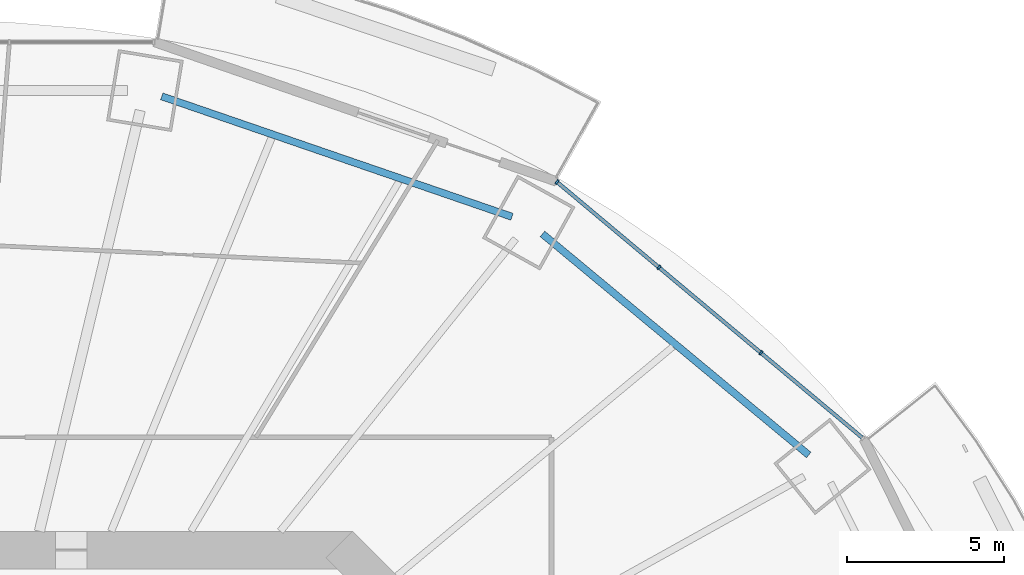
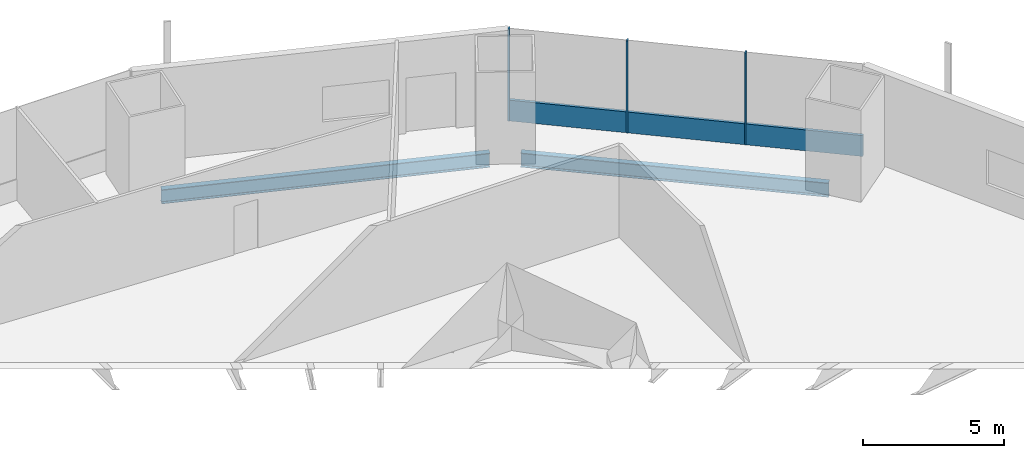
# One storey, part 10 of 22: 4 members, 2 beams, 1 element without a shape of its own.
"""IFC4 building model written with IfcOpenShell, lengths in metres."""

from ifc_helpers import new_model, si_unit, direction, frame, origin, origin_2d, place, context, subcontext, project, spatial, rectangle, i_section, extrude, material, material_profile, profile_set, type_object, element, aggregate, save


model = new_model("IFC4")

# Units and contexts
model_context = context("Model", 3, precision=1e-05, world=origin(), true_north=direction((0.0, 1.0)))
body_context = subcontext(model_context, "Body", "Model", "MODEL_VIEW")
ifc_project = project(units=[si_unit("LENGTHUNIT", "METRE"), si_unit("AREAUNIT", "SQUARE_METRE"), si_unit("VOLUMEUNIT", "CUBIC_METRE"), si_unit("PLANEANGLEUNIT", "RADIAN"), si_unit("MASSUNIT", "GRAM", prefix="KILO")], contexts=[model_context])

# Site, building, storey
site_placement = place(None, origin())
site = spatial("IfcSite", under=ifc_project, at=site_placement, CompositionType="ELEMENT")
building_placement = place(site_placement, origin())
building = spatial("IfcBuilding", under=site, at=building_placement, Name="Marenthal Gate Tower", CompositionType="ELEMENT")
storey_placement = place(building_placement, frame((0.0, 0.0, 78.64990234375)))
storey = spatial("IfcBuildingStorey", under=building, at=storey_placement, Name="L15", CompositionType="ELEMENT", Elevation=78.64990234375)

# Curtain wall, members
ifc_material_1 = material(Name="Aluminium and glass", Category="aluminium")
curtain_wall_type = type_object("IfcCurtainWallType", Name="Curtain wall typical low", PredefinedType="NOTDEFINED", material=ifc_material_1)
curtain_wall_placement = place(storey_placement, origin())
curtain_wall = element("IfcCurtainWall", 1, at=curtain_wall_placement, inside=storey, type_object=curtain_wall_type, Name="Curtain wall L15 bay 2", PredefinedType="NOTDEFINED")
ifc_material_2 = material(Name="Aluminium", Category="aluminium")
ifc_material_profile_1 = material_profile(ifc_material_2, rectangle(XDim=0.159912109375, YDim=0.06005859375, at=origin_2d()), Name="60x160 aluminium mullion")
ifc_profile_set_1 = profile_set([ifc_material_profile_1], Name="Aluminium")
member_type_1 = type_object("IfcMemberType", Name="Mullion 60x160 typical low", PredefinedType="MULLION", material=ifc_profile_set_1)
member_1_placement = place(storey_placement, frame((26.283935546875, 19.292724609375, 0.0), z_axis=(0.0, 0.0, 1.0), x_axis=(-0.642176178992, -0.76655707885, 0.0)))
member_1 = element("IfcMember", 2, at=member_1_placement, type_object=member_type_1, Name="Mullion L15 bay 2.2", PredefinedType="MULLION", context=body_context, shape_type="SweptSolid", body=[
    extrude(rectangle(XDim=0.159912109375, YDim=0.06005859375, at=origin_2d()), origin(), (0.0, 0.0, 1.0), 3.97021484375),
])
member_2_placement = place(storey_placement, frame((23.029541015625, 22.01904296875, 0.0), z_axis=(0.0, 0.0, 1.0), x_axis=(-0.642176178992, -0.76655707885, 0.0)))
member_2 = element("IfcMember", 3, at=member_2_placement, type_object=member_type_1, Name="Mullion L15 bay 2.3", PredefinedType="MULLION", context=body_context, shape_type="SweptSolid", body=[
    extrude(rectangle(XDim=0.159912109375, YDim=0.06005859375, at=origin_2d()), origin(), (0.0, 0.0, 1.0), 3.97021484375),
])
member_3_placement = place(storey_placement, frame((19.775146484375, 24.745361328125, 0.0), z_axis=(0.0, 0.0, 1.0), x_axis=(-0.642176178992, -0.76655707885, 0.0)))
member_3 = element("IfcMember", 4, at=member_3_placement, type_object=member_type_1, Name="Mullion L15 bay 2.4", PredefinedType="MULLION", context=body_context, shape_type="SweptSolid", body=[
    extrude(rectangle(XDim=0.159912109375, YDim=0.06005859375, at=origin_2d()), origin(), (0.0, 0.0, 1.0), 3.97021484375),
])
ifc_material_3 = material(Name="Aluminium", Category="aluminium")
ifc_material_profile_2 = material_profile(ifc_material_3, rectangle(XDim=0.1201171875, YDim=0.89990234375, at=origin_2d()), Name="120x900 aluminium transom")
ifc_profile_set_2 = profile_set([ifc_material_profile_2], Name="Aluminium")
member_type_2 = type_object("IfcMemberType", Name="Transom 120x900 typical low", PredefinedType="USERDEFINED", material=ifc_profile_set_2)
member_4_placement = place(storey_placement, frame((29.51513671875, 16.585693359375, 0.4501953125), z_axis=(-0.766556354324, 0.642177043849, 0.0), x_axis=(-0.642177043849, -0.766556354324, 0.0)))
member_4 = element("IfcMember", 5, at=member_4_placement, type_object=member_type_2, Name="Transom L15 bay 2", ObjectType="TRANSOM", PredefinedType="USERDEFINED", context=body_context, shape_type="SweptSolid", body=[
    extrude(rectangle(XDim=0.1201171875, YDim=0.89990234375, at=origin_2d()), origin(), (0.0, 0.0, 1.0), 12.67626953125),
])
aggregate(curtain_wall, [member_1, member_2, member_3, member_4])

# Beams
ifc_material_4 = material(Name="Steel S355", Category="steel")
ifc_material_profile_3 = material_profile(ifc_material_4, i_section(OverallWidth=0.22900390625, OverallDepth=0.612060546875, WebThickness=0.011962890625, FlangeThickness=0.01953125, FilletRadius=0.0126953125, at=origin_2d()), Name="W610X125")
ifc_profile_set_3 = profile_set([ifc_material_profile_3], Name="Steel S355")
beam_type = type_object("IfcBeamType", Name="W610X125 beam", PredefinedType="BEAM", material=ifc_profile_set_3)
beam_1_placement = place(storey_placement, frame((27.807861328125, 16.0341796875, -0.48583984375), z_axis=(-0.769405168871, 0.638761055571, 0.0), x_axis=(-0.638761055571, -0.769405168871, 0.0)))
element("IfcBeam", 6, at=beam_1_placement, inside=storey, type_object=beam_type, Name="BM-L15-42", PredefinedType="BEAM", context=body_context, shape_type="SweptSolid", body=[
    extrude(i_section(OverallWidth=0.22900390625, OverallDepth=0.612060546875, WebThickness=0.011962890625, FlangeThickness=0.01953125, FilletRadius=0.0126953125, at=origin_2d()), origin(), (0.0, 0.0, 1.0), 11.04248046875),
])
beam_2_placement = place(storey_placement, frame((18.3388671875, 23.635009765625, -0.48583984375), z_axis=(-0.94564769726, 0.325192916076, 0.0), x_axis=(-0.325192916076, -0.94564769726, 0.0)))
element("IfcBeam", 7, at=beam_2_placement, inside=storey, type_object=beam_type, Name="BM-L15-43", PredefinedType="BEAM", context=body_context, shape_type="SweptSolid", body=[
    extrude(i_section(OverallWidth=0.22900390625, OverallDepth=0.612060546875, WebThickness=0.011962890625, FlangeThickness=0.01953125, FilletRadius=0.0126953125, at=origin_2d()), origin(), (0.0, 0.0, 1.0), 11.819091796875),
])

save(model, "model.ifc")
